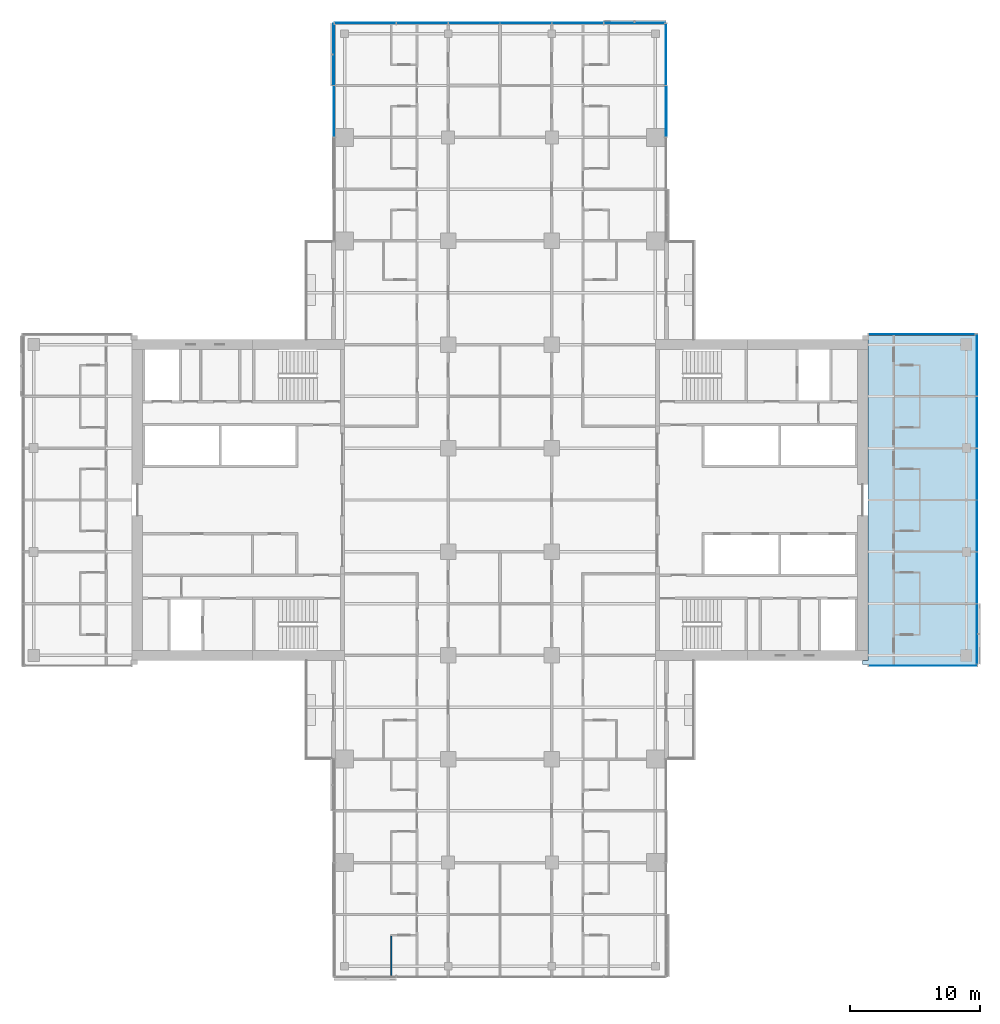
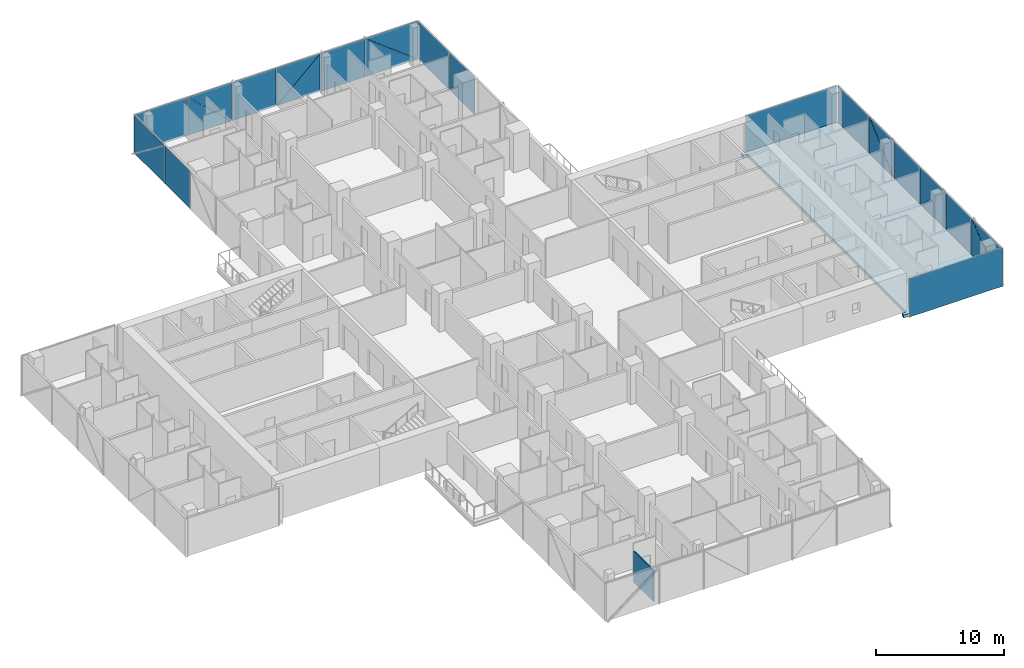
# One storey, part 14 of 29: 26 plates, 1 slab, 1 wall, 6 elements without a shape of their own.
"""IFC4 building model written with IfcOpenShell, lengths in metres."""

import ifcopenshell
import ifcopenshell.guid

model = None  # the IFC model being written
_history = None  # IfcOwnerHistory: only IFC2X3 demands one
_inside = {}  # id of a spatial element -> (the spatial element, [elements in it])
_under = {}  # id of a project, library or spatial element -> (it, [spatial elements below it])
_declared = {}  # id of a project -> (the project, [libraries it declares])
_typed = {}  # id of a type object -> (the type object, [elements of that type])
_made_of = {}  # id of a material, layer set ... -> (it, [elements and type objects made of it])


def new_model(schema):
    """Start an empty IFC model of exactly this schema.

    Asked for "IFC4X3", IfcOpenShell would pick the latest addendum, in which some entities
    have other attributes; the version numbers below select the first issue.
    IFC2X3 requires an IfcOwnerHistory on every rooted entity: one is made here for all.
    """
    global model, _history
    if schema == "IFC4X3":
        model = ifcopenshell.file(schema_version=(4, 3, 0, 0))
    else:
        model = ifcopenshell.file(schema=schema)
    _inside.clear()
    _under.clear()
    _declared.clear()
    _typed.clear()
    _made_of.clear()
    _history = None
    if model.schema == "IFC2X3":
        org = make("IfcOrganization", Name="unknown")
        user = make(
            "IfcPersonAndOrganization",
            ThePerson=make("IfcPerson", FamilyName="unknown"),
            TheOrganization=org,
        )
        app = make(
            "IfcApplication",
            ApplicationDeveloper=org,
            Version="unknown",
            ApplicationFullName="unknown",
            ApplicationIdentifier="unknown",
        )
        _history = make(
            "IfcOwnerHistory",
            OwningUser=user,
            OwningApplication=app,
            ChangeAction="ADDED",
            CreationDate=0,
        )
    return model


def make(cls, **values):
    """One entity of the class cls with the attributes given. An attribute that is None is left unset."""
    return model.create_entity(
        cls, **{name: value for name, value in values.items() if value is not None}
    )


def rooted(cls, **values):
    """An entity with a GlobalId (a new one), such as an element, a storey or a relation."""
    return make(cls, GlobalId=ifcopenshell.guid.new(), OwnerHistory=_history, **values)


def si_unit(unit_type, name, prefix=None):
    """IfcSIUnit, for example si_unit("LENGTHUNIT", "METRE", prefix="MILLI")."""
    return make("IfcSIUnit", UnitType=unit_type, Prefix=prefix, Name=name)


def assignment(units):
    """IfcUnitAssignment: the units of a project."""
    return None if units is None else make("IfcUnitAssignment", Units=units)


def point(xyz):
    """IfcCartesianPoint."""
    return None if xyz is None else make("IfcCartesianPoint", Coordinates=xyz)


def direction(xyz):
    """IfcDirection."""
    return None if xyz is None else make("IfcDirection", DirectionRatios=xyz)


def frame(location, z_axis=None, x_axis=None):
    """IfcAxis2Placement3D, a coordinate frame: its origin and axes. An axis left out is left unset."""
    return make(
        "IfcAxis2Placement3D",
        Location=point(location),
        Axis=direction(z_axis),
        RefDirection=direction(x_axis),
    )


def frame_2d(location, x_axis=None):
    """IfcAxis2Placement2D, a coordinate frame in the plane: its origin and x axis."""
    return make(
        "IfcAxis2Placement2D", Location=point(location), RefDirection=direction(x_axis)
    )


def origin():
    """The frame at (0, 0, 0) with its axes left unset."""
    return frame((0.0, 0.0, 0.0))


def place(relative_to, where):
    """IfcLocalPlacement: puts the frame where relative to a parent placement (None: the world)."""
    return make(
        "IfcLocalPlacement", PlacementRelTo=relative_to, RelativePlacement=where
    )


def context(
    kind, dimensions, precision=None, world=None, true_north=None, identifier=None
):
    """IfcGeometricRepresentationContext, for example the 3D "Model" context."""
    return make(
        "IfcGeometricRepresentationContext",
        ContextIdentifier=identifier,
        ContextType=kind,
        CoordinateSpaceDimension=dimensions,
        Precision=precision,
        WorldCoordinateSystem=world,
        TrueNorth=true_north,
    )


def subcontext(parent, identifier, kind, view, scale=None):
    """IfcGeometricRepresentationSubContext, for example "Body" below "Model"."""
    return make(
        "IfcGeometricRepresentationSubContext",
        ContextIdentifier=identifier,
        ContextType=kind,
        ParentContext=parent,
        TargetScale=scale,
        TargetView=view,
    )


def project(units=None, contexts=None):
    """IfcProject with its units and contexts."""
    return rooted(
        "IfcProject",
        Name="project",
        RepresentationContexts=contexts,
        UnitsInContext=assignment(units),
    )


def spatial(cls, under=None, at=None, **own):
    """A site, building, storey or space (cls), placed at a placement, below another one or the project."""
    s = rooted(cls, ObjectPlacement=at, **own)
    if under is not None:
        _under.setdefault(under.id(), (under, []))[1].append(s)
    return s


def polyline(points):
    """IfcPolyline through the points."""
    return make("IfcPolyline", Points=[point(p) for p in points])


def profile(cls, at=None, kind="AREA", **sizes):
    """A parametric profile (cls). Its sizes go by their IFC names, for example OverallWidth=200.0."""
    return make(cls, ProfileType=kind, Position=at, **sizes)


def rectangle(**sizes):
    """IfcRectangleProfileDef."""
    return profile("IfcRectangleProfileDef", **sizes)


def outline(outer, holes=None, kind="AREA"):
    """IfcArbitraryClosedProfileDef: a profile drawn as a closed curve; with holes, ...WithVoids."""
    if holes is None:
        return make("IfcArbitraryClosedProfileDef", ProfileType=kind, OuterCurve=outer)
    return make(
        "IfcArbitraryProfileDefWithVoids",
        ProfileType=kind,
        OuterCurve=outer,
        InnerCurves=holes,
    )


def extrude(swept, where, along, depth):
    """IfcExtrudedAreaSolid: the profile swept, set in the frame where, extruded along a direction by depth."""
    return make(
        "IfcExtrudedAreaSolid",
        SweptArea=swept,
        Position=where,
        ExtrudedDirection=direction(along),
        Depth=depth,
    )


def shape(context_of_items, identifier, shape_type, items):
    """IfcShapeRepresentation: the items that make up one representation, for example the "Body"."""
    return make(
        "IfcShapeRepresentation",
        ContextOfItems=context_of_items,
        RepresentationIdentifier=identifier,
        RepresentationType=shape_type,
        Items=items,
    )


def material(Name=None, Category=None):
    """IfcMaterial."""
    return make("IfcMaterial", Name=Name, Category=Category)


def layer(
    of_material, thickness, ventilated=None, Name=None, Category=None, Priority=None
):
    """IfcMaterialLayer: one layer of a wall or slab, of a material (None: an air gap)."""
    return make(
        "IfcMaterialLayer",
        Material=of_material,
        LayerThickness=thickness,
        IsVentilated=ventilated,
        Name=Name,
        Category=Category,
        Priority=Priority,
    )


def layer_set(layers, Name=None):
    """IfcMaterialLayerSet."""
    return make("IfcMaterialLayerSet", MaterialLayers=layers, LayerSetName=Name)


def made_of(thing, what):
    """Note that an element or type object is made of a material, layer set ...; save() writes the relation."""
    if what is not None:
        _made_of.setdefault(what.id(), (what, []))[1].append(thing)
    return thing


def type_object(cls, material=None, **own):
    """A type object (cls), such as IfcWallType, which elements share."""
    return made_of(rooted(cls, **own), material)


def element(
    cls,
    number,
    at=None,
    inside=None,
    cuts=None,
    type_object=None,
    material=None,
    context=None,
    identifier="Body",
    shape_type=None,
    held_by="IfcProductDefinitionShape",
    body=None,
    shapes=None,
    **own,
):
    """One element of the class cls, such as IfcWall. Its Tag is "e" and its number.

    at: its placement. inside: the storey or other place that contains it. cuts: it is an
    opening in that element (IfcRelVoidsElement). A single representation is given by context,
    identifier, shape_type and body (its items); several are given by shapes. held_by: the class
    of the entity that holds the representations. save() writes the other relations.
    """
    e = rooted(cls, Tag="e%d" % number, ObjectPlacement=at, **own)
    if body is not None:
        shapes = [shape(context, identifier, shape_type, body)]
    if shapes is not None:
        e.Representation = make(held_by, Representations=shapes)
    if inside is not None:
        _inside.setdefault(inside.id(), (inside, []))[1].append(e)
    if cuts is not None:
        rooted(
            "IfcRelVoidsElement", RelatingBuildingElement=cuts, RelatedOpeningElement=e
        )
    if type_object is not None:
        _typed.setdefault(type_object.id(), (type_object, []))[1].append(e)
    return made_of(e, material)


def aggregate(whole, parts):
    """IfcRelAggregates: a whole, such as a stair, and the parts it consists of."""
    return rooted("IfcRelAggregates", RelatingObject=whole, RelatedObjects=parts)


def save(model, path):
    """Write the relations noted so far, then the file.

    IfcRelAggregates (storeys below a building ...), IfcRelContainedInSpatialStructure (elements
    in a storey), IfcRelDefinesByType, IfcRelAssociatesMaterial and IfcRelDeclares: one each for
    every whole, place, type object, material and project.
    """
    for whole, parts in _under.values():
        aggregate(whole, parts)
    for where, things in _inside.values():
        rooted(
            "IfcRelContainedInSpatialStructure",
            RelatedElements=things,
            RelatingStructure=where,
        )
    for kind, things in _typed.values():
        rooted("IfcRelDefinesByType", RelatedObjects=things, RelatingType=kind)
    for what, things in _made_of.values():
        rooted("IfcRelAssociatesMaterial", RelatedObjects=things, RelatingMaterial=what)
    for by, libraries in _declared.values():
        rooted("IfcRelDeclares", RelatingContext=by, RelatedDefinitions=libraries)
    model.write(path)


model = new_model("IFC4")

# Units and contexts
model_context = context("Model", 3, precision=1e-05, world=origin(), true_north=direction((0.0, 1.0)))
body_context = subcontext(model_context, "Body", "Model", "MODEL_VIEW")
ifc_project = project(units=[si_unit("LENGTHUNIT", "METRE"), si_unit("AREAUNIT", "SQUARE_METRE"), si_unit("VOLUMEUNIT", "CUBIC_METRE"), si_unit("PLANEANGLEUNIT", "RADIAN"), si_unit("MASSUNIT", "GRAM", prefix="KILO")], contexts=[model_context])

# Site, building, storey
site_placement = place(None, origin())
site = spatial("IfcSite", under=ifc_project, at=site_placement, CompositionType="ELEMENT")
building_placement = place(site_placement, origin())
building = spatial("IfcBuilding", under=site, at=building_placement, Name="Crosswind Convention Tower", CompositionType="ELEMENT")
storey_placement = place(building_placement, frame((0.0, 0.0, 53.5)))
storey = spatial("IfcBuildingStorey", under=building, at=storey_placement, Name="L07", CompositionType="ELEMENT", Elevation=53.5)

# Slab
ifc_material_1 = material(Name="Concrete C40/50", Category="concrete")
ifc_layer_1 = layer(ifc_material_1, 0.280029296875)
ifc_layer_set_1 = layer_set([ifc_layer_1], Name="Concrete C40/50")
slab_type = type_object("IfcSlabType", Name="Composite floor slab 280", PredefinedType="FLOOR", material=ifc_layer_set_1)
slab_placement = place(storey_placement, frame((0.0, 0.0, -0.280029296875)))
element("IfcSlab", 1, at=slab_placement, inside=storey, type_object=slab_type, Name="Floor slab L07 part 3", PredefinedType="FLOOR", context=body_context, shape_type="SweptSolid", body=[
    extrude(outline(polyline([(153.0, 112.699951171875), (161.0, 112.699951171875), (161.699951171875, 112.699951171875), (161.699951171875, 112.0), (161.699951171875, 88.0), (161.699951171875, 87.300048828125), (161.0, 87.300048828125), (153.0, 87.300048828125), (153.0, 87.60009765625), (153.39990234375, 87.60009765625), (153.39990234375, 112.39990234375), (153.0, 112.39990234375), (153.0, 112.699951171875)])), origin(), (0.0, 0.0, 1.0), 0.280029296875),
])

# Curtain wall, plate
ifc_material_2 = material(Name="Aluminium unitised curtain wall", Category="aluminium")
curtain_wall_type_1 = type_object("IfcCurtainWallType", Name="CORE END SLOT WALL 160", PredefinedType="USERDEFINED", material=ifc_material_2)
curtain_wall_1_placement = place(storey_placement, origin())
curtain_wall_1 = element("IfcCurtainWall", 2, at=curtain_wall_1_placement, inside=storey, type_object=curtain_wall_type_1, Name="CW6 L07 E-N.1-1 slot", ObjectType="UNITISED", PredefinedType="USERDEFINED")
ifc_material_3 = material(Name="Laminated insulating glass unit", Category="glass")
ifc_layer_2 = layer(ifc_material_3, 0.02587890625)
ifc_layer_set_2 = layer_set([ifc_layer_2], Name="TRIANGULAR GLASS PANEL 26")
plate_type_1 = type_object("IfcPlateType", Name="TRIANGULAR GLASS PANEL 26", PredefinedType="CURTAIN_PANEL", material=ifc_layer_set_2)
plate_1_placement = place(storey_placement, frame((161.64990234375, 112.806640625, -0.280029296875), z_axis=(0.0, 0.999999919475, 0.000401310917), x_axis=(-1.0, 0.0, 0.0)))
plate_1 = element("IfcPlate", 3, at=plate_1_placement, type_object=plate_type_1, Name="CW6 panel 1.1", PredefinedType="CURTAIN_PANEL", context=body_context, shape_type="SweptSolid", body=[
    extrude(outline(polyline([(0.0, 0.0), (8.199951171875, 0.0), (8.199951171875, 3.650146778303906), (0.0, 3.650146778303906), (0.0, 0.0)])), origin(), (0.0, 0.0, -1.0), 0.02587890625),
])
aggregate(curtain_wall_1, [plate_1])

curtain_wall_2_placement = place(storey_placement, origin())
curtain_wall_2 = element("IfcCurtainWall", 4, at=curtain_wall_2_placement, inside=storey, type_object=curtain_wall_type_1, Name="CW6 L07 E-S.2-1 slot", ObjectType="UNITISED", PredefinedType="USERDEFINED")
plate_2_placement = place(storey_placement, frame((153.449951171875, 87.193359375, -0.280029296875), z_axis=(0.0, -0.999999919475, 0.000401310917), x_axis=(1.0, 0.0, 0.0)))
plate_2 = element("IfcPlate", 5, at=plate_2_placement, type_object=plate_type_1, Name="CW6 panel 1.1", PredefinedType="CURTAIN_PANEL", context=body_context, shape_type="SweptSolid", body=[
    extrude(outline(polyline([(0.0, 0.0), (8.400146484375, 0.0), (8.400146484375, 3.6501467783039057), (0.0, 3.6501467783039057), (0.0, 0.0)])), origin(), (0.0, 0.0, -1.0), 0.02587890625),
])
aggregate(curtain_wall_2, [plate_2])

# Curtain wall, plates
curtain_wall_type_2 = type_object("IfcCurtainWallType", Name="HOTEL UNITISED WALL 200", PredefinedType="USERDEFINED", material=ifc_material_2)
curtain_wall_3_placement = place(storey_placement, origin())
curtain_wall_3 = element("IfcCurtainWall", 6, at=curtain_wall_3_placement, inside=storey, type_object=curtain_wall_type_2, Name="CW2 L07 E-TIP 1", ObjectType="UNITISED", PredefinedType="USERDEFINED")
ifc_layer_3 = layer(ifc_material_3, 0.028076171875)
ifc_layer_set_3 = layer_set([ifc_layer_3], Name="TRIANGULAR GLASS PANEL 28")
plate_type_2 = type_object("IfcPlateType", Name="TRIANGULAR GLASS PANEL 28", PredefinedType="CURTAIN_PANEL", material=ifc_layer_set_3)
plate_3_placement = place(storey_placement, frame((161.82861328125, 91.967529296875, -0.280029296875), z_axis=(0.999999943217, 0.0, 0.00033699533), x_axis=(-0.00033699533, 0.0, 0.999999943217)))
plate_3 = element("IfcPlate", 7, at=plate_3_placement, type_object=plate_type_2, Name="CW2 panel 1.1", PredefinedType="CURTAIN_PANEL", context=body_context, shape_type="SweptSolid", body=[
    extrude(outline(polyline([(0.0, 0.0), (3.6223146588106325, 0.0), (0.0, 4.58642578125), (0.0, 0.0)])), origin(), (0.0, 0.0, -1.0), 0.028076171875),
])
plate_4_placement = place(storey_placement, frame((161.857177734375, 87.364990234375, 3.35498046875), z_axis=(0.999999918233, 0.0, 0.000404394386), x_axis=(0.000404394386, 0.0, -0.999999918233)))
plate_4 = element("IfcPlate", 8, at=plate_4_placement, type_object=plate_type_2, Name="CW2 panel 1.2", PredefinedType="CURTAIN_PANEL", context=body_context, shape_type="SweptSolid", body=[
    extrude(outline(polyline([(0.0, 0.0), (3.6223147493123067, 0.0), (0.0, 4.58642578125), (0.0, 0.0)])), origin(), (0.0, 0.0, -1.0), 0.028076171875),
])
plate_5_placement = place(storey_placement, frame((161.82861328125, 92.032470703125, -0.280029296875), z_axis=(0.999999943613, 0.0, 0.00033581837), x_axis=(0.0, 1.0, 0.0)))
plate_5 = element("IfcPlate", 9, at=plate_5_placement, type_object=plate_type_2, Name="CW2 panel 2.1", PredefinedType="CURTAIN_PANEL", context=body_context, shape_type="SweptSolid", body=[
    extrude(outline(polyline([(0.0, 0.0), (3.93505859375, 0.0), (3.93505859375, 3.635009970592273), (0.0, 3.635009970592273), (0.0, 0.0)])), origin(), (0.0, 0.0, -1.0), 0.028076171875),
])
plate_6_placement = place(storey_placement, frame((161.827392578125, 99.967529296875, 3.35498046875), z_axis=(0.999999943186, 0.0, 0.000337086208), x_axis=(0.0, -1.0, 0.0)))
plate_6 = element("IfcPlate", 10, at=plate_6_placement, type_object=plate_type_2, Name="CW2 panel 3.1", PredefinedType="CURTAIN_PANEL", context=body_context, shape_type="SweptSolid", body=[
    extrude(outline(polyline([(0.0, 0.0), (3.92041015625, 0.0), (0.0, 3.6213380963660997), (0.0, 0.0)])), origin(), (0.0, 0.0, -1.0), 0.028076171875),
])
plate_7_placement = place(storey_placement, frame((161.858642578125, 96.032470703125, -0.280029296875), z_axis=(0.999999918188, 0.0, 0.000404503439), x_axis=(0.0, 1.0, 0.0)))
plate_7 = element("IfcPlate", 11, at=plate_7_placement, type_object=plate_type_2, Name="CW2 panel 3.2", PredefinedType="CURTAIN_PANEL", context=body_context, shape_type="SweptSolid", body=[
    extrude(outline(polyline([(0.0, 0.0), (3.92041015625, 0.0), (0.0, 3.6213381868921792), (0.0, 0.0)])), origin(), (0.0, 0.0, -1.0), 0.028076171875),
])
plate_8_placement = place(storey_placement, frame((161.82861328125, 100.032470703125, -0.280029296875), z_axis=(0.999999943613, 0.0, 0.00033581837), x_axis=(0.0, 1.0, 0.0)))
plate_8 = element("IfcPlate", 12, at=plate_8_placement, type_object=plate_type_2, Name="CW2 panel 4.1", PredefinedType="CURTAIN_PANEL", context=body_context, shape_type="SweptSolid", body=[
    extrude(outline(polyline([(0.0, 0.0), (3.93505859375, 0.0), (3.93505859375, 3.635009970592273), (0.0, 3.635009970592273), (0.0, 0.0)])), origin(), (0.0, 0.0, -1.0), 0.028076171875),
])
plate_9_placement = place(storey_placement, frame((161.82861328125, 107.967529296875, -0.280029296875), z_axis=(0.999999943186, 0.0, 0.000337086208), x_axis=(-0.000337086208, 0.0, 0.999999943186)))
plate_9 = element("IfcPlate", 13, at=plate_9_placement, type_object=plate_type_2, Name="CW2 panel 5.1", PredefinedType="CURTAIN_PANEL", context=body_context, shape_type="SweptSolid", body=[
    extrude(outline(polyline([(0.0, 0.0), (3.6213380963660997, 0.0), (0.0, 3.920410156250001), (0.0, 0.0)])), origin(), (0.0, 0.0, -1.0), 0.028076171875),
])
plate_10_placement = place(storey_placement, frame((161.857177734375, 104.032470703125, 3.35498046875), z_axis=(0.999999918188, 0.0, 0.000404503439), x_axis=(0.000404503439, 0.0, -0.999999918188)))
plate_10 = element("IfcPlate", 14, at=plate_10_placement, type_object=plate_type_2, Name="CW2 panel 5.2", PredefinedType="CURTAIN_PANEL", context=body_context, shape_type="SweptSolid", body=[
    extrude(outline(polyline([(0.0, 0.0), (3.6213381868921797, 0.0), (0.0, 3.92041015625), (0.0, 0.0)])), origin(), (0.0, 0.0, -1.0), 0.028076171875),
])
plate_11_placement = place(storey_placement, frame((161.82861328125, 108.032470703125, -0.280029296875), z_axis=(0.999999943613, 0.0, 0.00033581837), x_axis=(0.0, 1.0, 0.0)))
plate_11 = element("IfcPlate", 15, at=plate_11_placement, type_object=plate_type_2, Name="CW2 panel 6.1", PredefinedType="CURTAIN_PANEL", context=body_context, shape_type="SweptSolid", body=[
    extrude(outline(polyline([(0.0, 0.0), (4.762451171875, 0.0), (4.762451171875, 3.635009970592273), (0.0, 3.635009970592273), (0.0, 0.0)])), origin(), (0.0, 0.0, -1.0), 0.028076171875),
])
aggregate(curtain_wall_3, [plate_3, plate_4, plate_5, plate_6, plate_7, plate_8, plate_9, plate_10, plate_11])

curtain_wall_4_placement = place(storey_placement, origin())
curtain_wall_4 = element("IfcCurtainWall", 16, at=curtain_wall_4_placement, inside=storey, type_object=curtain_wall_type_2, Name="CW2 L07 N-E 1", ObjectType="UNITISED", PredefinedType="USERDEFINED")
plate_12_placement = place(storey_placement, frame((137.827392578125, 131.967529296875, 3.35498046875), z_axis=(0.999999943186, 0.0, 0.000337086208), x_axis=(0.0, -1.0, 0.0)))
plate_12 = element("IfcPlate", 17, at=plate_12_placement, type_object=plate_type_2, Name="CW2 panel 3.1", PredefinedType="CURTAIN_PANEL", context=body_context, shape_type="SweptSolid", body=[
    extrude(outline(polyline([(0.0, 0.0), (3.92041015625, 0.0), (0.0, 3.6213380963660997), (0.0, 0.0)])), origin(), (0.0, 0.0, -1.0), 0.028076171875),
])
plate_13_placement = place(storey_placement, frame((137.858642578125, 128.032470703125, -0.280029296875), z_axis=(0.999999918188, 0.0, 0.000404503439), x_axis=(0.0, 1.0, 0.0)))
plate_13 = element("IfcPlate", 18, at=plate_13_placement, type_object=plate_type_2, Name="CW2 panel 3.2", PredefinedType="CURTAIN_PANEL", context=body_context, shape_type="SweptSolid", body=[
    extrude(outline(polyline([(0.0, 0.0), (3.92041015625, 0.0), (0.0, 3.6213381868921792), (0.0, 0.0)])), origin(), (0.0, 0.0, -1.0), 0.028076171875),
])
plate_14_placement = place(storey_placement, frame((137.82861328125, 132.032470703125, -0.280029296875), z_axis=(0.999999943613, 0.0, 0.00033581837), x_axis=(0.0, 1.0, 0.0)))
plate_14 = element("IfcPlate", 19, at=plate_14_placement, type_object=plate_type_2, Name="CW2 panel 4.1", PredefinedType="CURTAIN_PANEL", context=body_context, shape_type="SweptSolid", body=[
    extrude(outline(polyline([(0.0, 0.0), (4.735107421875, 0.0), (4.735107421875, 3.6350099705922725), (0.0, 3.6350099705922725), (0.0, 0.0)])), origin(), (0.0, 0.0, -1.0), 0.028076171875),
])
aggregate(curtain_wall_4, [plate_12, plate_13, plate_14])

curtain_wall_5_placement = place(storey_placement, origin())
curtain_wall_5 = element("IfcCurtainWall", 20, at=curtain_wall_5_placement, inside=storey, type_object=curtain_wall_type_2, Name="CW2 L07 N-TIP 1", ObjectType="UNITISED", PredefinedType="USERDEFINED")
plate_15_placement = place(storey_placement, frame((133.032470703125, 136.82861328125, -0.280029296875), z_axis=(0.0, 0.999999943217, 0.00033699533), x_axis=(0.0, -0.00033699533, 0.999999943217)))
plate_15 = element("IfcPlate", 21, at=plate_15_placement, type_object=plate_type_2, Name="CW2 panel 1.1", PredefinedType="CURTAIN_PANEL", context=body_context, shape_type="SweptSolid", body=[
    extrude(outline(polyline([(0.0, 0.0), (3.6223146588106325, 0.0), (0.0, 4.718505859374999), (0.0, 0.0)])), origin(), (0.0, 0.0, -1.0), 0.028076171875),
])
plate_16_placement = place(storey_placement, frame((137.767578125, 136.857177734375, 3.35498046875), z_axis=(0.0, 0.999999918233, 0.000404394386), x_axis=(0.0, 0.000404394386, -0.999999918233)))
plate_16 = element("IfcPlate", 22, at=plate_16_placement, type_object=plate_type_2, Name="CW2 panel 1.2", PredefinedType="CURTAIN_PANEL", context=body_context, shape_type="SweptSolid", body=[
    extrude(outline(polyline([(0.0, 0.0), (3.6223147493123067, 0.0), (0.0, 4.71875), (0.0, 0.0)])), origin(), (0.0, 0.0, -1.0), 0.028076171875),
])
plate_17_placement = place(storey_placement, frame((132.967529296875, 136.82861328125, -0.280029296875), z_axis=(0.0, 0.999999943613, 0.00033581837), x_axis=(-1.0, 0.0, 0.0)))
plate_17 = element("IfcPlate", 23, at=plate_17_placement, type_object=plate_type_2, Name="CW2 panel 2.1", PredefinedType="CURTAIN_PANEL", context=body_context, shape_type="SweptSolid", body=[
    extrude(outline(polyline([(0.0, 0.0), (3.93505859375, 0.0), (3.93505859375, 3.635009970592273), (0.0, 3.635009970592273), (0.0, 0.0)])), origin(), (0.0, 0.0, -1.0), 0.028076171875),
])
plate_18_placement = place(storey_placement, frame((125.032470703125, 136.827392578125, 3.35498046875), z_axis=(0.0, 0.999999943186, 0.000337086208), x_axis=(1.0, 0.0, 0.0)))
plate_18 = element("IfcPlate", 24, at=plate_18_placement, type_object=plate_type_2, Name="CW2 panel 3.1", PredefinedType="CURTAIN_PANEL", context=body_context, shape_type="SweptSolid", body=[
    extrude(outline(polyline([(0.0, 0.0), (3.92041015625, 0.0), (0.0, 3.6213380963660997), (0.0, 0.0)])), origin(), (0.0, 0.0, -1.0), 0.028076171875),
])
plate_19_placement = place(storey_placement, frame((128.967529296875, 136.858642578125, -0.280029296875), z_axis=(0.0, 0.999999918188, 0.000404503439), x_axis=(-1.0, 0.0, 0.0)))
plate_19 = element("IfcPlate", 25, at=plate_19_placement, type_object=plate_type_2, Name="CW2 panel 3.2", PredefinedType="CURTAIN_PANEL", context=body_context, shape_type="SweptSolid", body=[
    extrude(outline(polyline([(0.0, 0.0), (3.92041015625, 0.0), (0.0, 3.6213381868921792), (0.0, 0.0)])), origin(), (0.0, 0.0, -1.0), 0.028076171875),
])
plate_20_placement = place(storey_placement, frame((124.967529296875, 136.82861328125, -0.280029296875), z_axis=(0.0, 0.999999943613, 0.00033581837), x_axis=(-1.0, 0.0, 0.0)))
plate_20 = element("IfcPlate", 26, at=plate_20_placement, type_object=plate_type_2, Name="CW2 panel 4.1", PredefinedType="CURTAIN_PANEL", context=body_context, shape_type="SweptSolid", body=[
    extrude(outline(polyline([(0.0, 0.0), (3.93505859375, 0.0), (3.93505859375, 3.635009970592273), (0.0, 3.635009970592273), (0.0, 0.0)])), origin(), (0.0, 0.0, -1.0), 0.028076171875),
])
plate_21_placement = place(storey_placement, frame((117.032470703125, 136.82861328125, -0.280029296875), z_axis=(0.0, 0.999999943186, 0.000337086208), x_axis=(0.0, -0.000337086208, 0.999999943186)))
plate_21 = element("IfcPlate", 27, at=plate_21_placement, type_object=plate_type_2, Name="CW2 panel 5.1", PredefinedType="CURTAIN_PANEL", context=body_context, shape_type="SweptSolid", body=[
    extrude(outline(polyline([(0.0, 0.0), (3.6213380963660997, 0.0), (0.0, 3.920410156250001), (0.0, 0.0)])), origin(), (0.0, 0.0, -1.0), 0.028076171875),
])
plate_22_placement = place(storey_placement, frame((120.967529296875, 136.857177734375, 3.35498046875), z_axis=(0.0, 0.999999918188, 0.000404503439), x_axis=(0.0, 0.000404503439, -0.999999918188)))
plate_22 = element("IfcPlate", 28, at=plate_22_placement, type_object=plate_type_2, Name="CW2 panel 5.2", PredefinedType="CURTAIN_PANEL", context=body_context, shape_type="SweptSolid", body=[
    extrude(outline(polyline([(0.0, 0.0), (3.6213381868921797, 0.0), (0.0, 3.92041015625), (0.0, 0.0)])), origin(), (0.0, 0.0, -1.0), 0.028076171875),
])
plate_23_placement = place(storey_placement, frame((116.967529296875, 136.82861328125, -0.280029296875), z_axis=(0.0, 0.999999943613, 0.00033581837), x_axis=(-1.0, 0.0, 0.0)))
plate_23 = element("IfcPlate", 29, at=plate_23_placement, type_object=plate_type_2, Name="CW2 panel 6.1", PredefinedType="CURTAIN_PANEL", context=body_context, shape_type="SweptSolid", body=[
    extrude(outline(polyline([(0.0, 0.0), (4.735107421875, 0.0), (4.735107421875, 3.6350099705922725), (0.0, 3.6350099705922725), (0.0, 0.0)])), origin(), (0.0, 0.0, -1.0), 0.028076171875),
])
aggregate(curtain_wall_5, [plate_15, plate_16, plate_17, plate_18, plate_19, plate_20, plate_21, plate_22, plate_23])

curtain_wall_6_placement = place(storey_placement, origin())
curtain_wall_6 = element("IfcCurtainWall", 30, at=curtain_wall_6_placement, inside=storey, type_object=curtain_wall_type_2, Name="CW2 L07 N-W 1", ObjectType="UNITISED", PredefinedType="USERDEFINED")
plate_24_placement = place(storey_placement, frame((112.17138671875, 132.032470703125, -0.280029296875), z_axis=(-0.999999943217, 0.0, 0.00033699533), x_axis=(0.00033699533, 0.0, 0.999999943217)))
plate_24 = element("IfcPlate", 31, at=plate_24_placement, type_object=plate_type_2, Name="CW2 panel 1.1", PredefinedType="CURTAIN_PANEL", context=body_context, shape_type="SweptSolid", body=[
    extrude(outline(polyline([(0.0, 0.0), (3.6223146588106325, 0.0), (0.0, 4.718505859374999), (0.0, 0.0)])), origin(), (0.0, 0.0, -1.0), 0.028076171875),
])
plate_25_placement = place(storey_placement, frame((112.142822265625, 136.767578125, 3.35498046875), z_axis=(-0.999999918233, 0.0, 0.000404394386), x_axis=(-0.000404394386, 0.0, -0.999999918233)))
plate_25 = element("IfcPlate", 32, at=plate_25_placement, type_object=plate_type_2, Name="CW2 panel 1.2", PredefinedType="CURTAIN_PANEL", context=body_context, shape_type="SweptSolid", body=[
    extrude(outline(polyline([(0.0, 0.0), (3.6223147493123067, 0.0), (0.0, 4.71875), (0.0, 0.0)])), origin(), (0.0, 0.0, -1.0), 0.028076171875),
])
plate_26_placement = place(storey_placement, frame((112.17138671875, 131.967529296875, -0.280029296875), z_axis=(-0.999999943613, 0.0, 0.00033581837), x_axis=(0.0, -1.0, 0.0)))
plate_26 = element("IfcPlate", 33, at=plate_26_placement, type_object=plate_type_2, Name="CW2 panel 2.1", PredefinedType="CURTAIN_PANEL", context=body_context, shape_type="SweptSolid", body=[
    extrude(outline(polyline([(0.0, 0.0), (3.93505859375, 0.0), (3.93505859375, 3.635009970592273), (0.0, 3.635009970592273), (0.0, 0.0)])), origin(), (0.0, 0.0, -1.0), 0.028076171875),
])
aggregate(curtain_wall_6, [plate_24, plate_25, plate_26])

# Wall
ifc_material_4 = material(Name="Water-resistant plasterboard partition", Category="gypsum")
ifc_layer_4 = layer(ifc_material_4, 0.10009765625)
ifc_layer_set_4 = layer_set([ifc_layer_4], Name="WET ROOM PARTITION 100")
wall_type = type_object("IfcWallType", Name="WET ROOM PARTITION 100", PredefinedType="PLUMBINGWALL", material=ifc_layer_set_4)
wall_placement = place(storey_placement, frame((116.60009765625, 63.300048828125, 0.0), z_axis=(0.0, 0.0, 1.0), x_axis=(0.0, 1.0, 0.0)))
element("IfcWall", 34, at=wall_placement, inside=storey, type_object=wall_type, Name="Wet Room Partition 95", PredefinedType="PLUMBINGWALL", context=body_context, shape_type="SweptSolid", body=[
    extrude(rectangle(XDim=3.050048828125, YDim=0.10009765625, at=frame_2d((1.52490234375, 0.0))), origin(), (0.0, 0.0, 1.0), 2.962890625),
])

save(model, "model.ifc")
